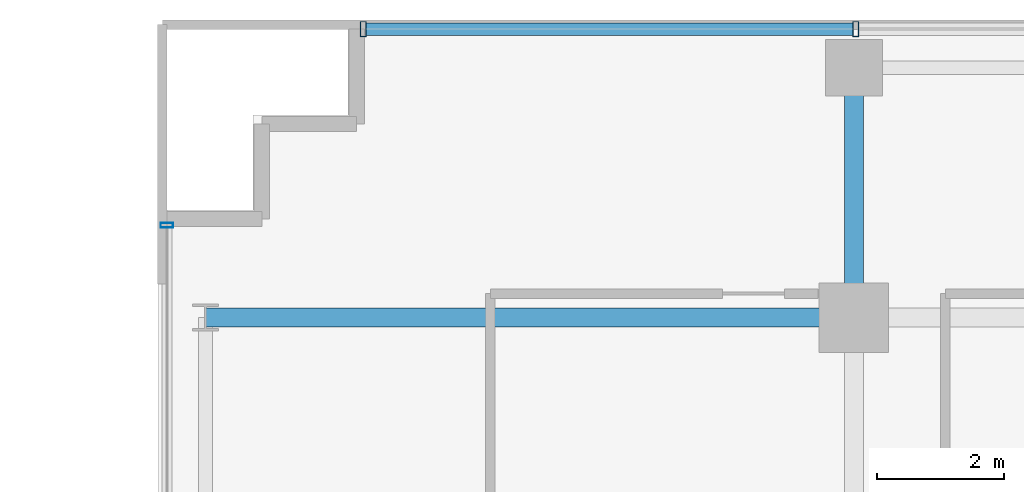
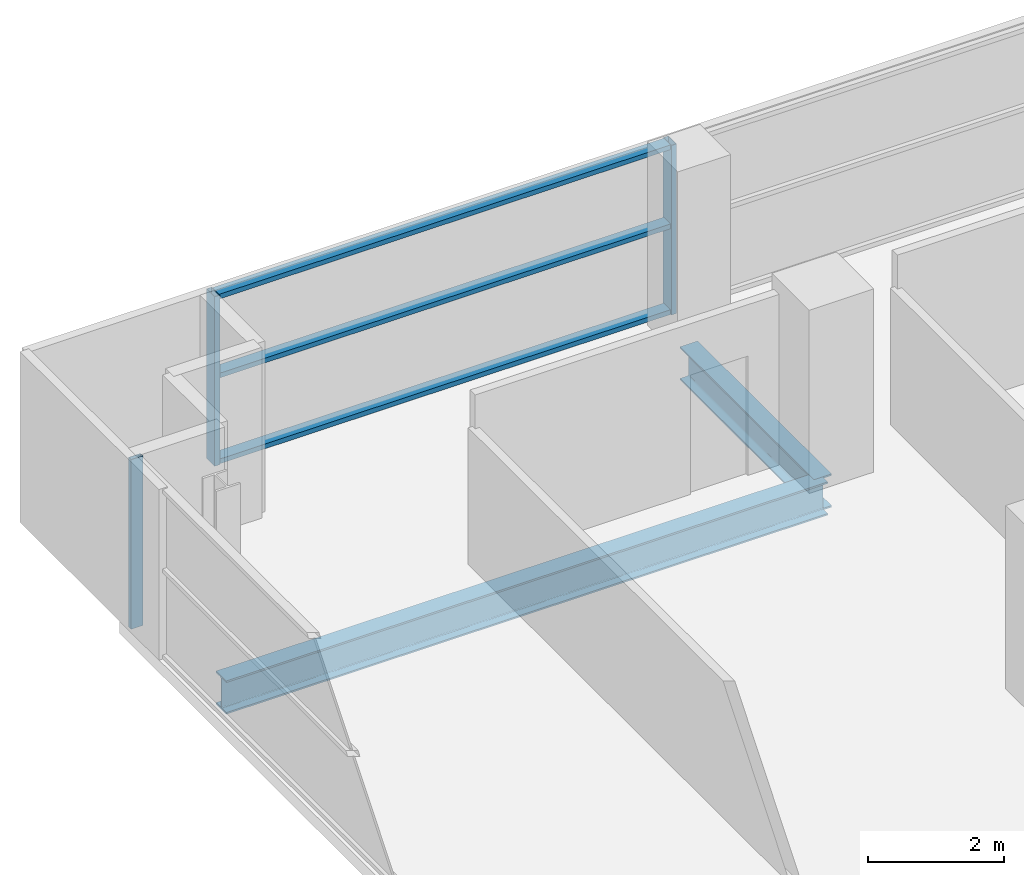
# One storey, part 17 of 30: 6 members, 2 beams, 2 elements without a shape of their own.
"""IFC4 building model written with IfcOpenShell, lengths in metres."""

from ifc_helpers import new_model, si_unit, direction, frame, origin, origin_2d, place, context, subcontext, project, spatial, hollow_rectangle, i_section, extrude, source, transform, mapped, material, layer, layer_set, material_profile, profile_set, type_object, element, aggregate, save


model = new_model("IFC4")

# Units and contexts
model_context = context("Model", 3, precision=1e-05, world=origin(), true_north=direction((0.0, 1.0)))
body_context = subcontext(model_context, "Body", "Model", "MODEL_VIEW")
ifc_project = project(units=[si_unit("LENGTHUNIT", "METRE"), si_unit("AREAUNIT", "SQUARE_METRE"), si_unit("VOLUMEUNIT", "CUBIC_METRE"), si_unit("PLANEANGLEUNIT", "RADIAN"), si_unit("MASSUNIT", "GRAM", prefix="KILO")], contexts=[model_context])

# Site, building, storey
site_placement = place(None, origin())
site = spatial("IfcSite", under=ifc_project, at=site_placement, CompositionType="ELEMENT")
building_placement = place(site_placement, origin())
building = spatial("IfcBuilding", under=site, at=building_placement, Name="Zarnakvel Exchange Tower", CompositionType="ELEMENT")
storey_placement = place(building_placement, frame((0.0, 0.0, 40.60009765625)))
storey = spatial("IfcBuildingStorey", under=building, at=storey_placement, Name="L10", CompositionType="ELEMENT", Elevation=40.60009765625)

# Beams
ifc_material_1 = material(Name="Steel S355", Category="steel")
ifc_material_profile_1 = material_profile(ifc_material_1, i_section(OverallWidth=0.300048828125, OverallDepth=0.60009765625, WebThickness=0.015380859375, FlangeThickness=0.030029296875, FilletRadius=0.027099609375, at=origin_2d()))
ifc_profile_set_1 = profile_set([ifc_material_profile_1], Name="Steel S355")
beam_type = type_object("IfcBeamType", Name="G-04", PredefinedType="BEAM", material=ifc_profile_set_1)
beam_1_placement = place(storey_placement, frame((-31.85009765625, 13.5, -0.525146484375), z_axis=(1.0, 0.0, 0.0), x_axis=(0.0, 1.0, 0.0)))
element("IfcBeam", 1, at=beam_1_placement, inside=storey, type_object=beam_type, Name="L10 Tower E-W Frame Beam", PredefinedType="BEAM", context=body_context, shape_type="SweptSolid", body=[
    extrude(i_section(OverallWidth=0.300048828125, OverallDepth=0.60009765625, WebThickness=0.015380859375, FlangeThickness=0.030029296875, FilletRadius=0.027099609375, at=origin_2d()), origin(), (0.0, 0.0, 1.0), 10.25),
])
beam_2_placement = place(storey_placement, frame((-21.60009765625, 13.5, -0.525146484375), z_axis=(0.0, 1.0, 0.0), x_axis=(-1.0, 0.0, 0.0)))
element("IfcBeam", 2, at=beam_2_placement, inside=storey, type_object=beam_type, Name="L10 Tower N-S Frame Beam", PredefinedType="BEAM", context=body_context, shape_type="SweptSolid", body=[
    extrude(i_section(OverallWidth=0.300048828125, OverallDepth=0.60009765625, WebThickness=0.015380859375, FlangeThickness=0.030029296875, FilletRadius=0.027099609375, at=origin_2d()), origin(), (0.0, 0.0, 1.0), 3.949951171875),
])

# Curtain wall, members
ifc_material_2 = material(Name="Architectural Bronze Anodised Aluminium", Category="aluminium")
ifc_layer_1 = layer(ifc_material_2, 0.239990234375)
ifc_layer_set_1 = layer_set([ifc_layer_1], Name="Architectural Bronze Anodised Aluminium")
curtain_wall_type_1 = type_object("IfcCurtainWallType", Name="CW-02", PredefinedType="NOTDEFINED", material=ifc_layer_set_1)
curtain_wall_1_placement = place(storey_placement, origin())
curtain_wall_1 = element("IfcCurtainWall", 3, at=curtain_wall_1_placement, inside=storey, type_object=curtain_wall_type_1, Name="L10 Curtain Wall CW-L10-N1 (CW-02)", PredefinedType="NOTDEFINED")
ifc_material_profile_2 = material_profile(ifc_material_2, hollow_rectangle(XDim=0.199951171875, YDim=0.0849609375, WallThickness=0.0048828125, at=origin_2d()))
ifc_profile_set_2 = profile_set([ifc_material_profile_2], Name="Architectural Bronze Anodised Aluminium")
member_type_1 = type_object("IfcMemberType", Name="CWT-02", PredefinedType="USERDEFINED", material=ifc_profile_set_2)
shared_shape_1 = source(origin(), body_context, "Body", "SweptSolid", [
    extrude(hollow_rectangle(XDim=0.199951171875, YDim=0.0849609375, WallThickness=0.0048828125, at=origin_2d()), origin(), (0.0, 0.0, 1.0), 7.693603515625),
])
member_1_placement = place(storey_placement, frame((-29.31005859375, 18.06005859375, 0.04248046875), z_axis=(1.0, 0.0, 0.0), x_axis=(0.0, 1.0, 0.0)))
member_1 = element("IfcMember", 4, at=member_1_placement, type_object=member_type_1, Name="CW-02 transom 1.1", ObjectType="TRANSOM", PredefinedType="USERDEFINED", context=body_context, shape_type="MappedRepresentation", body=[
    mapped(shared_shape_1, transform((0.0, 0.0, 0.0), x_axis=(1.0, 0.0, 0.0), y_axis=(0.0, 1.0, 0.0), z_axis=(0.0, 0.0, 1.0), scale=1.0)),
])
member_2_placement = place(storey_placement, frame((-29.31005859375, 18.06005859375, 1.588623046875), z_axis=(1.0, 0.0, 0.0), x_axis=(0.0, 1.0, 0.0)))
member_2 = element("IfcMember", 5, at=member_2_placement, type_object=member_type_1, Name="CW-02 transom 1.2", ObjectType="TRANSOM", PredefinedType="USERDEFINED", context=body_context, shape_type="MappedRepresentation", body=[
    mapped(shared_shape_1, transform((0.0, 0.0, 0.0), x_axis=(1.0, 0.0, 0.0), y_axis=(0.0, 1.0, 0.0), z_axis=(0.0, 0.0, 1.0), scale=1.0)),
])
member_3_placement = place(storey_placement, frame((-29.31005859375, 18.06005859375, 3.012451171875), z_axis=(1.0, 0.0, 0.0), x_axis=(0.0, 1.0, 0.0)))
member_3 = element("IfcMember", 6, at=member_3_placement, type_object=member_type_1, Name="CW-02 transom 1.3", ObjectType="TRANSOM", PredefinedType="USERDEFINED", context=body_context, shape_type="MappedRepresentation", body=[
    mapped(shared_shape_1, transform((0.0, 0.0, 0.0), x_axis=(1.0, 0.0, 0.0), y_axis=(0.0, 1.0, 0.0), z_axis=(0.0, 0.0, 1.0), scale=1.0)),
])
ifc_material_profile_3 = material_profile(ifc_material_2, hollow_rectangle(XDim=0.239990234375, YDim=0.090087890625, WallThickness=0.006103515625, at=origin_2d()))
ifc_profile_set_3 = profile_set([ifc_material_profile_3], Name="Architectural Bronze Anodised Aluminium")
member_type_2 = type_object("IfcMemberType", Name="CWM-02", PredefinedType="MULLION", material=ifc_profile_set_3)
shared_shape_2 = source(origin(), body_context, "Body", "SweptSolid", [
    extrude(hollow_rectangle(XDim=0.239990234375, YDim=0.090087890625, WallThickness=0.006103515625, at=origin_2d()), origin(), (0.0, 0.0, 1.0), 3.054931640625),
])
member_4_placement = place(storey_placement, frame((-29.35498046875, 18.06005859375, 0.0), z_axis=(0.0, 0.0, 1.0), x_axis=(0.0, 1.0, 0.0)))
member_4 = element("IfcMember", 7, at=member_4_placement, type_object=member_type_2, Name="CW-02 mullion 1", PredefinedType="MULLION", context=body_context, shape_type="MappedRepresentation", body=[
    mapped(shared_shape_2, transform((0.0, 0.0, 0.0), x_axis=(1.0, 0.0, 0.0), y_axis=(0.0, 1.0, 0.0), z_axis=(0.0, 0.0, 1.0), scale=1.0)),
])
member_5_placement = place(storey_placement, frame((-21.571533203125, 18.06005859375, 0.0), z_axis=(0.0, 0.0, 1.0), x_axis=(0.0, 1.0, 0.0)))
member_5 = element("IfcMember", 8, at=member_5_placement, type_object=member_type_2, Name="CW-02 mullion 2", PredefinedType="MULLION", context=body_context, shape_type="MappedRepresentation", body=[
    mapped(shared_shape_2, transform((0.0, 0.0, 0.0), x_axis=(1.0, 0.0, 0.0), y_axis=(0.0, 1.0, 0.0), z_axis=(0.0, 0.0, 1.0), scale=1.0)),
])
aggregate(curtain_wall_1, [member_4, member_5, member_1, member_2, member_3])

# Curtain wall, member
ifc_layer_2 = layer(ifc_material_2, 0.199951171875)
ifc_layer_set_2 = layer_set([ifc_layer_2], Name="Architectural Bronze Anodised Aluminium")
curtain_wall_type_2 = type_object("IfcCurtainWallType", Name="CW-04", PredefinedType="NOTDEFINED", material=ifc_layer_set_2)
curtain_wall_2_placement = place(storey_placement, origin())
curtain_wall_2 = element("IfcCurtainWall", 9, at=curtain_wall_2_placement, inside=storey, type_object=curtain_wall_type_2, Name="L10 Curtain Wall CW-L10-WN (CW-04)", PredefinedType="NOTDEFINED")
ifc_material_profile_4 = material_profile(ifc_material_2, hollow_rectangle(XDim=0.199951171875, YDim=0.074951171875, WallThickness=0.0048828125, at=origin_2d()))
ifc_profile_set_4 = profile_set([ifc_material_profile_4], Name="Architectural Bronze Anodised Aluminium")
member_type_3 = type_object("IfcMemberType", Name="CWM-04", PredefinedType="MULLION", material=ifc_profile_set_4)
shared_shape_3 = source(origin(), body_context, "Body", "SweptSolid", [
    extrude(hollow_rectangle(XDim=0.199951171875, YDim=0.074951171875, WallThickness=0.0048828125, at=origin_2d()), origin(), (0.0, 0.0, 1.0), 3.054931640625),
])
member_6_placement = place(storey_placement, frame((-32.4599609375, 14.96240234375, 0.0), z_axis=(0.0, 0.0, 1.0), x_axis=(-1.0, 0.0, 0.0)))
member_6 = element("IfcMember", 10, at=member_6_placement, type_object=member_type_3, Name="CW-04 mullion 3", PredefinedType="MULLION", context=body_context, shape_type="MappedRepresentation", body=[
    mapped(shared_shape_3, transform((0.0, 0.0, 0.0), x_axis=(1.0, 0.0, 0.0), y_axis=(0.0, 1.0, 0.0), z_axis=(0.0, 0.0, 1.0), scale=1.0)),
])
aggregate(curtain_wall_2, [member_6])

save(model, "model.ifc")
